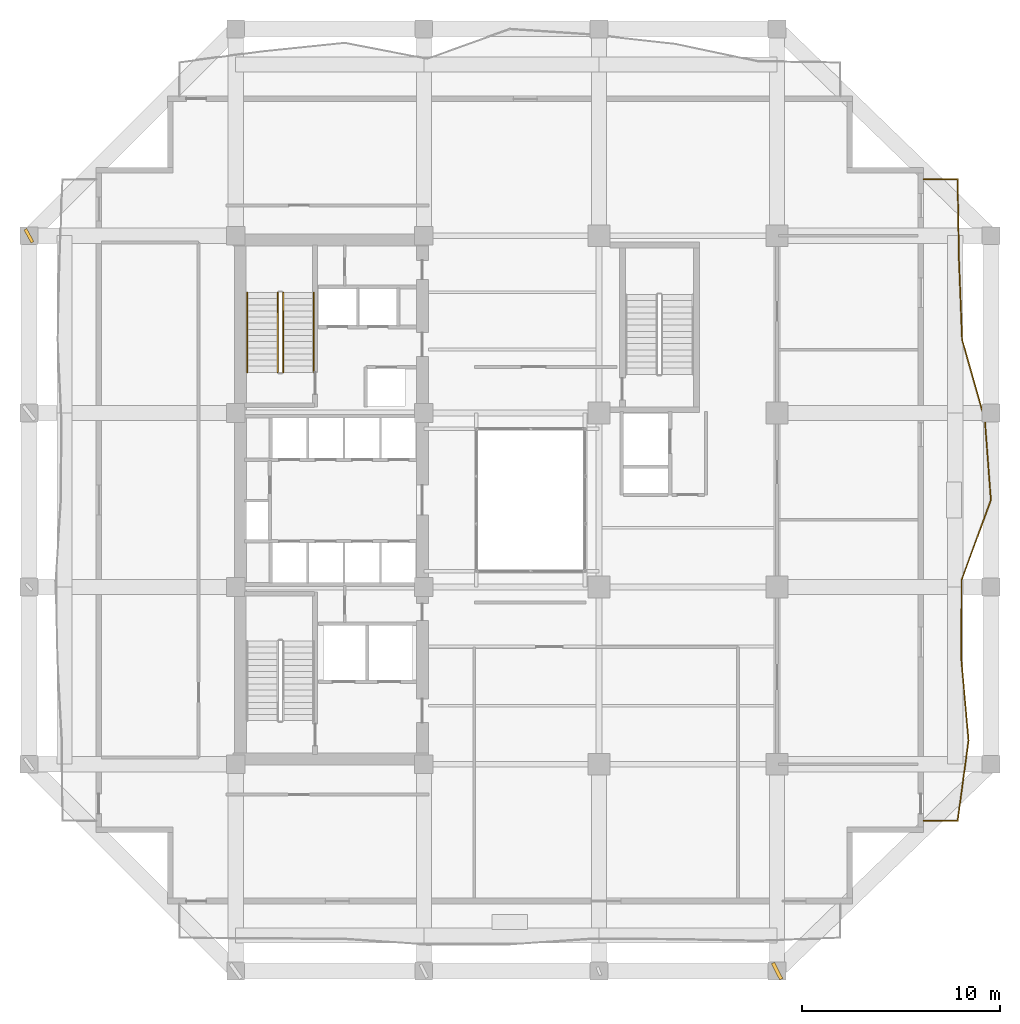
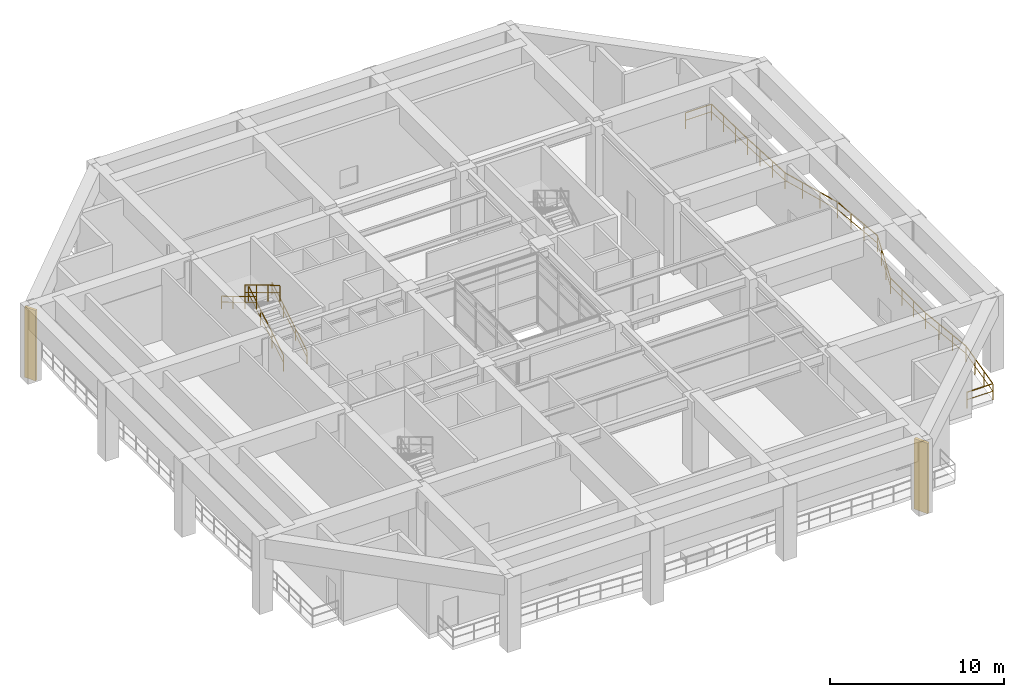
# One storey, part 11 of 13: 5 railings, 2 shading devices.
"""IFC4 building model written with IfcOpenShell, lengths in metres."""

from ifc_helpers import new_model, si_unit, direction, frame, origin, origin_2d, place, context, subcontext, project, spatial, rectangle, extrude, material, type_object, element, save


model = new_model("IFC4")

# Units and contexts
model_context = context("Model", 3, precision=1e-05, world=origin(), true_north=direction((0.0, 1.0)))
body_context = subcontext(model_context, "Body", "Model", "MODEL_VIEW")
ifc_project = project(units=[si_unit("LENGTHUNIT", "METRE"), si_unit("AREAUNIT", "SQUARE_METRE"), si_unit("VOLUMEUNIT", "CUBIC_METRE"), si_unit("PLANEANGLEUNIT", "RADIAN"), si_unit("MASSUNIT", "GRAM", prefix="KILO")], contexts=[model_context])

# Site, building, storey
site_placement = place(None, origin())
site = spatial("IfcSite", under=ifc_project, at=site_placement, CompositionType="ELEMENT")
building_placement = place(site_placement, origin())
building = spatial("IfcBuilding", under=site, at=building_placement, Name="Kundavana Baori Tower", CompositionType="ELEMENT")
storey_placement = place(building_placement, frame((0.0, 0.0, 98.800048828125)))
storey = spatial("IfcBuildingStorey", under=building, at=storey_placement, Name="L23", CompositionType="ELEMENT", Elevation=98.800048828125)

# Railings
ifc_material_1 = material(Name="Architectural Patinated Bronze Metalwork")
railing_type_1 = type_object("IfcRailingType", Name="RL-BAL-1150", PredefinedType="BALUSTRADE", material=ifc_material_1)
railing_1_placement = place(storey_placement, frame((50.199951171875, 44.800048828125, 0.0)))
element("IfcRailing", 1, at=railing_1_placement, inside=storey, type_object=railing_type_1, Name="L23 Loggia Balcony Balustrade E", PredefinedType="BALUSTRADE", context=body_context, shape_type="SweptSolid", body=[
    extrude(rectangle(XDim=0.048095703125, YDim=0.048095703125, at=origin_2d()), frame((0.0, 0.0, 1.1259765625), z_axis=(1.0, 0.0, 0.0), x_axis=(0.0, 1.0, 0.0)), (0.0, 0.0, 1.0), 1.719970703125),
    extrude(rectangle(XDim=0.03125, YDim=0.03125, at=origin_2d()), frame((0.0, 0.0, 0.597900390625), z_axis=(1.0, 0.0, 0.0), x_axis=(0.0, 1.0, 0.0)), (0.0, 0.0, 1.0), 1.719970703125),
    extrude(rectangle(XDim=0.048095703125, YDim=0.048095703125, at=origin_2d()), frame((1.719970703125, 0.0, 1.1259765625), z_axis=(0.016333946982, -0.999866592189, 0.0), x_axis=(0.999866592189, 0.016333946982, 0.0)), (0.0, 0.0, 1.0), 4.050537109375),
    extrude(rectangle(XDim=0.03125, YDim=0.03125, at=origin_2d()), frame((1.719970703125, 0.0, 0.597900390625), z_axis=(0.016333946982, -0.999866592189, 0.0), x_axis=(0.999866592189, 0.016333946982, 0.0)), (0.0, 0.0, 1.0), 4.050537109375),
    extrude(rectangle(XDim=0.048095703125, YDim=0.048095703125, at=origin_2d()), frame((1.7861328125, -4.050048828125, 1.1259765625), z_axis=(0.039212689569, -0.999230886721, 0.0), x_axis=(0.999230886721, 0.039212689569, 0.0)), (0.0, 0.0, 1.0), 4.05322265625),
    extrude(rectangle(XDim=0.03125, YDim=0.03125, at=origin_2d()), frame((1.7861328125, -4.050048828125, 0.597900390625), z_axis=(0.039212689569, -0.999230886721, 0.0), x_axis=(0.999230886721, 0.039212689569, 0.0)), (0.0, 0.0, 1.0), 4.05322265625),
    extrude(rectangle(XDim=0.048095703125, YDim=0.048095703125, at=origin_2d()), frame((1.945068359375, -8.10009765625, 1.1259765625), z_axis=(0.273127697415, -0.961977786077, 0.0), x_axis=(0.961977786077, 0.273127697415, 0.0)), (0.0, 0.0, 1.0), 4.210205078125),
    extrude(rectangle(XDim=0.03125, YDim=0.03125, at=origin_2d()), frame((1.945068359375, -8.10009765625, 0.597900390625), z_axis=(0.273127697415, -0.961977786077, 0.0), x_axis=(0.961977786077, 0.273127697415, 0.0)), (0.0, 0.0, 1.0), 4.210205078125),
    extrude(rectangle(XDim=0.048095703125, YDim=0.048095703125, at=origin_2d()), frame((3.094970703125, -12.150146484375, 1.1259765625), z_axis=(0.075142632914, -0.997172795818, 0.0), x_axis=(0.997172795818, 0.075142632914, 0.0)), (0.0, 0.0, 1.0), 4.061279296875),
    extrude(rectangle(XDim=0.03125, YDim=0.03125, at=origin_2d()), frame((3.094970703125, -12.150146484375, 0.597900390625), z_axis=(0.075142632914, -0.997172795818, 0.0), x_axis=(0.997172795818, 0.075142632914, 0.0)), (0.0, 0.0, 1.0), 4.061279296875),
    extrude(rectangle(XDim=0.048095703125, YDim=0.048095703125, at=origin_2d()), frame((3.400146484375, -16.199951171875, 1.1259765625), z_axis=(-0.343873744723, -0.939015893204, 0.0), x_axis=(0.939015893204, -0.343873744723, 0.0)), (0.0, 0.0, 1.0), 4.31298828125),
    extrude(rectangle(XDim=0.03125, YDim=0.03125, at=origin_2d()), frame((3.400146484375, -16.199951171875, 0.597900390625), z_axis=(-0.343873744723, -0.939015893204, 0.0), x_axis=(0.939015893204, -0.343873744723, 0.0)), (0.0, 0.0, 1.0), 4.31298828125),
    extrude(rectangle(XDim=0.048095703125, YDim=0.048095703125, at=origin_2d()), frame((1.9169921875, -20.25, 1.1259765625), z_axis=(-0.001687863049, -0.999998575558, 0.0), x_axis=(0.999998575558, -0.001687863049, 0.0)), (0.0, 0.0, 1.0), 4.050048828125),
    extrude(rectangle(XDim=0.03125, YDim=0.03125, at=origin_2d()), frame((1.9169921875, -20.25, 0.597900390625), z_axis=(-0.001687863049, -0.999998575558, 0.0), x_axis=(0.999998575558, -0.001687863049, 0.0)), (0.0, 0.0, 1.0), 4.050048828125),
    extrude(rectangle(XDim=0.048095703125, YDim=0.048095703125, at=origin_2d()), frame((1.91015625, -24.300048828125, 1.1259765625), z_axis=(0.089220189452, -0.996011926532, 0.0), x_axis=(0.996011926532, 0.089220189452, 0.0)), (0.0, 0.0, 1.0), 4.066162109375),
    extrude(rectangle(XDim=0.03125, YDim=0.03125, at=origin_2d()), frame((1.91015625, -24.300048828125, 0.597900390625), z_axis=(0.089220189452, -0.996011926532, 0.0), x_axis=(0.996011926532, 0.089220189452, 0.0)), (0.0, 0.0, 1.0), 4.066162109375),
    extrude(rectangle(XDim=0.048095703125, YDim=0.048095703125, at=origin_2d()), frame((2.27294921875, -28.35009765625, 1.1259765625), z_axis=(-0.135281116165, -0.990807256538, 0.0), x_axis=(0.990807256538, -0.135281116165, 0.0)), (0.0, 0.0, 1.0), 4.087646484375),
    extrude(rectangle(XDim=0.03125, YDim=0.03125, at=origin_2d()), frame((2.27294921875, -28.35009765625, 0.597900390625), z_axis=(-0.135281116165, -0.990807256538, 0.0), x_axis=(0.990807256538, -0.135281116165, 0.0)), (0.0, 0.0, 1.0), 4.087646484375),
    extrude(rectangle(XDim=0.048095703125, YDim=0.048095703125, at=origin_2d()), frame((1.719970703125, -32.400146484375, 1.1259765625), z_axis=(-1.0, 0.0, 0.0), x_axis=(0.0, -1.0, 0.0)), (0.0, 0.0, 1.0), 1.719970703125),
    extrude(rectangle(XDim=0.03125, YDim=0.03125, at=origin_2d()), frame((1.719970703125, -32.400146484375, 0.597900390625), z_axis=(-1.0, 0.0, 0.0), x_axis=(0.0, -1.0, 0.0)), (0.0, 0.0, 1.0), 1.719970703125),
    extrude(rectangle(XDim=0.0419921875, YDim=0.0419921875, at=origin_2d()), origin(), (0.0, 0.0, 1.0), 1.101806640625),
    extrude(rectangle(XDim=0.0419921875, YDim=0.0419921875, at=origin_2d()), frame((1.719970703125, 0.0, 0.0)), (0.0, 0.0, 1.0), 1.101806640625),
    extrude(rectangle(XDim=0.0419921875, YDim=0.0419921875, at=origin_2d()), frame((1.741943359375, -1.35009765625, 0.0)), (0.0, 0.0, 1.0), 1.101806640625),
    extrude(rectangle(XDim=0.0419921875, YDim=0.0419921875, at=origin_2d()), frame((1.76416015625, -2.699951171875, 0.0)), (0.0, 0.0, 1.0), 1.101806640625),
    extrude(rectangle(XDim=0.0419921875, YDim=0.0419921875, at=origin_2d()), frame((1.7861328125, -4.050048828125, 0.0)), (0.0, 0.0, 1.0), 1.101806640625),
    extrude(rectangle(XDim=0.0419921875, YDim=0.0419921875, at=origin_2d()), frame((1.839111328125, -5.400146484375, 0.0)), (0.0, 0.0, 1.0), 1.101806640625),
    extrude(rectangle(XDim=0.0419921875, YDim=0.0419921875, at=origin_2d()), frame((1.89208984375, -6.75, 0.0)), (0.0, 0.0, 1.0), 1.101806640625),
    extrude(rectangle(XDim=0.0419921875, YDim=0.0419921875, at=origin_2d()), frame((1.945068359375, -8.10009765625, 0.0)), (0.0, 0.0, 1.0), 1.101806640625),
    extrude(rectangle(XDim=0.0419921875, YDim=0.0419921875, at=origin_2d()), frame((2.328369140625, -9.4501953125, 0.0)), (0.0, 0.0, 1.0), 1.101806640625),
    extrude(rectangle(XDim=0.0419921875, YDim=0.0419921875, at=origin_2d()), frame((2.711669921875, -10.800048828125, 0.0)), (0.0, 0.0, 1.0), 1.101806640625),
    extrude(rectangle(XDim=0.0419921875, YDim=0.0419921875, at=origin_2d()), frame((3.094970703125, -12.150146484375, 0.0)), (0.0, 0.0, 1.0), 1.101806640625),
    extrude(rectangle(XDim=0.0419921875, YDim=0.0419921875, at=origin_2d()), frame((3.19677734375, -13.5, 0.0)), (0.0, 0.0, 1.0), 1.101806640625),
    extrude(rectangle(XDim=0.0419921875, YDim=0.0419921875, at=origin_2d()), frame((3.29833984375, -14.85009765625, 0.0)), (0.0, 0.0, 1.0), 1.101806640625),
    extrude(rectangle(XDim=0.0419921875, YDim=0.0419921875, at=origin_2d()), frame((3.400146484375, -16.199951171875, 0.0)), (0.0, 0.0, 1.0), 1.101806640625),
    extrude(rectangle(XDim=0.0419921875, YDim=0.0419921875, at=origin_2d()), frame((2.90576171875, -17.550048828125, 0.0)), (0.0, 0.0, 1.0), 1.101806640625),
    extrude(rectangle(XDim=0.0419921875, YDim=0.0419921875, at=origin_2d()), frame((2.411376953125, -18.89990234375, 0.0)), (0.0, 0.0, 1.0), 1.101806640625),
    extrude(rectangle(XDim=0.0419921875, YDim=0.0419921875, at=origin_2d()), frame((1.9169921875, -20.25, 0.0)), (0.0, 0.0, 1.0), 1.101806640625),
    extrude(rectangle(XDim=0.0419921875, YDim=0.0419921875, at=origin_2d()), frame((1.914794921875, -21.60009765625, 0.0)), (0.0, 0.0, 1.0), 1.101806640625),
    extrude(rectangle(XDim=0.0419921875, YDim=0.0419921875, at=origin_2d()), frame((1.912353515625, -22.949951171875, 0.0)), (0.0, 0.0, 1.0), 1.101806640625),
    extrude(rectangle(XDim=0.0419921875, YDim=0.0419921875, at=origin_2d()), frame((1.91015625, -24.300048828125, 0.0)), (0.0, 0.0, 1.0), 1.101806640625),
    extrude(rectangle(XDim=0.0419921875, YDim=0.0419921875, at=origin_2d()), frame((2.031005859375, -25.650146484375, 0.0)), (0.0, 0.0, 1.0), 1.101806640625),
    extrude(rectangle(XDim=0.0419921875, YDim=0.0419921875, at=origin_2d()), frame((2.152099609375, -27.0, 0.0)), (0.0, 0.0, 1.0), 1.101806640625),
    extrude(rectangle(XDim=0.0419921875, YDim=0.0419921875, at=origin_2d()), frame((2.27294921875, -28.35009765625, 0.0)), (0.0, 0.0, 1.0), 1.101806640625),
    extrude(rectangle(XDim=0.0419921875, YDim=0.0419921875, at=origin_2d()), frame((2.088623046875, -29.7001953125, 0.0)), (0.0, 0.0, 1.0), 1.101806640625),
    extrude(rectangle(XDim=0.0419921875, YDim=0.0419921875, at=origin_2d()), frame((1.904296875, -31.050048828125, 0.0)), (0.0, 0.0, 1.0), 1.101806640625),
    extrude(rectangle(XDim=0.0419921875, YDim=0.0419921875, at=origin_2d()), frame((1.719970703125, -32.400146484375, 0.0)), (0.0, 0.0, 1.0), 1.101806640625),
    extrude(rectangle(XDim=0.0419921875, YDim=0.0419921875, at=origin_2d()), frame((0.0, -32.400146484375, 0.0)), (0.0, 0.0, 1.0), 1.101806640625),
])
ifc_material_2 = material(Name="Architectural Patinated Bronze Metalwork")
railing_type_2 = type_object("IfcRailingType", Name="RL-GRD-1150", PredefinedType="GUARDRAIL", material=ifc_material_2)
railing_2_placement = place(storey_placement, frame((17.840087890625, 35.050048828125, 0.185546875)))
element("IfcRailing", 2, at=railing_2_placement, inside=storey, type_object=railing_type_2, Name="L23 ST2 stair guard 1", PredefinedType="GUARDRAIL", context=body_context, shape_type="SweptSolid", body=[
    extrude(rectangle(XDim=0.048095703125, YDim=0.048095703125, at=origin_2d()), frame((0.0, 0.0, 1.1259765625), z_axis=(0.0, 0.857841222509, 0.51391481489), x_axis=(-1.0, 0.0, 0.0)), (0.0, 0.0, 1.0), 4.69775390625),
    extrude(rectangle(XDim=0.03125, YDim=0.03125, at=origin_2d()), frame((0.0, 0.0, 0.597900390625), z_axis=(0.0, 0.857841222509, 0.51391481489), x_axis=(-1.0, 0.0, 0.0)), (0.0, 0.0, 1.0), 4.69775390625),
    extrude(rectangle(XDim=0.0419921875, YDim=0.0419921875, at=origin_2d()), origin(), (0.0, 0.0, 1.0), 1.101806640625),
    extrude(rectangle(XDim=0.0419921875, YDim=0.0419921875, at=origin_2d()), frame((0.0, 1.34326171875, 0.8046875)), (0.0, 0.0, 1.0), 1.101806640625),
    extrude(rectangle(XDim=0.0419921875, YDim=0.0419921875, at=origin_2d()), frame((0.0, 2.686767578125, 1.609619140625)), (0.0, 0.0, 1.0), 1.101806640625),
    extrude(rectangle(XDim=0.0419921875, YDim=0.0419921875, at=origin_2d()), frame((0.0, 4.030029296875, 2.414306640625)), (0.0, 0.0, 1.0), 1.101806640625),
])
railing_3_placement = place(storey_placement, frame((17.580078125, 39.080078125, 2.78564453125)))
element("IfcRailing", 3, at=railing_3_placement, inside=storey, type_object=railing_type_2, Name="L23 ST2 stair guard 3", PredefinedType="GUARDRAIL", context=body_context, shape_type="SweptSolid", body=[
    extrude(rectangle(XDim=0.048095703125, YDim=0.048095703125, at=origin_2d()), frame((0.0, 0.0, 1.1259765625), z_axis=(0.0, -0.857841222509, 0.51391481489), x_axis=(1.0, 0.0, 0.0)), (0.0, 0.0, 1.0), 4.69775390625),
    extrude(rectangle(XDim=0.03125, YDim=0.03125, at=origin_2d()), frame((0.0, 0.0, 0.597900390625), z_axis=(0.0, -0.857841222509, 0.51391481489), x_axis=(1.0, 0.0, 0.0)), (0.0, 0.0, 1.0), 4.69775390625),
    extrude(rectangle(XDim=0.0419921875, YDim=0.0419921875, at=origin_2d()), origin(), (0.0, 0.0, 1.0), 1.101806640625),
    extrude(rectangle(XDim=0.0419921875, YDim=0.0419921875, at=origin_2d()), frame((0.0, -1.34326171875, 0.8046875)), (0.0, 0.0, 1.0), 1.101806640625),
    extrude(rectangle(XDim=0.0419921875, YDim=0.0419921875, at=origin_2d()), frame((0.0, -2.686767578125, 1.609619140625)), (0.0, 0.0, 1.0), 1.101806640625),
    extrude(rectangle(XDim=0.0419921875, YDim=0.0419921875, at=origin_2d()), frame((0.0, -4.030029296875, 2.414306640625)), (0.0, 0.0, 1.0), 1.101806640625),
])
ifc_material_3 = material(Name="Architectural Patinated Bronze Metalwork")
railing_type_3 = type_object("IfcRailingType", Name="RL-HND-920", PredefinedType="HANDRAIL", material=ifc_material_3)
railing_4_placement = place(storey_placement, frame((19.389892578125, 35.050048828125, 0.185546875)))
element("IfcRailing", 4, at=railing_4_placement, inside=storey, type_object=railing_type_3, Name="L23 ST2 stair handrail 1", PredefinedType="HANDRAIL", context=body_context, shape_type="SweptSolid", body=[
    extrude(rectangle(XDim=0.048095703125, YDim=0.048095703125, at=origin_2d()), frame((0.0, 0.0, 0.8759765625), z_axis=(0.0, 0.857841222509, 0.51391481489), x_axis=(-1.0, 0.0, 0.0)), (0.0, 0.0, 1.0), 4.69775390625),
    extrude(rectangle(XDim=0.03125, YDim=0.03125, at=origin_2d()), frame((0.0, 0.0, 0.468017578125), z_axis=(0.0, 0.857841222509, 0.51391481489), x_axis=(-1.0, 0.0, 0.0)), (0.0, 0.0, 1.0), 4.69775390625),
    extrude(rectangle(XDim=0.0419921875, YDim=0.0419921875, at=origin_2d()), origin(), (0.0, 0.0, 1.0), 0.851806640625),
    extrude(rectangle(XDim=0.0419921875, YDim=0.0419921875, at=origin_2d()), frame((0.0, 1.34326171875, 0.8046875)), (0.0, 0.0, 1.0), 0.851806640625),
    extrude(rectangle(XDim=0.0419921875, YDim=0.0419921875, at=origin_2d()), frame((0.0, 2.686767578125, 1.609619140625)), (0.0, 0.0, 1.0), 0.851806640625),
    extrude(rectangle(XDim=0.0419921875, YDim=0.0419921875, at=origin_2d()), frame((0.0, 4.030029296875, 2.414306640625)), (0.0, 0.0, 1.0), 0.851806640625),
])
railing_5_placement = place(storey_placement, frame((16.030029296875, 39.080078125, 2.78564453125)))
element("IfcRailing", 5, at=railing_5_placement, inside=storey, type_object=railing_type_3, Name="L23 ST2 stair handrail 2", PredefinedType="HANDRAIL", context=body_context, shape_type="SweptSolid", body=[
    extrude(rectangle(XDim=0.048095703125, YDim=0.048095703125, at=origin_2d()), frame((0.0, 0.0, 0.8759765625), z_axis=(0.0, -0.857841222509, 0.51391481489), x_axis=(1.0, 0.0, 0.0)), (0.0, 0.0, 1.0), 4.69775390625),
    extrude(rectangle(XDim=0.03125, YDim=0.03125, at=origin_2d()), frame((0.0, 0.0, 0.468017578125), z_axis=(0.0, -0.857841222509, 0.51391481489), x_axis=(1.0, 0.0, 0.0)), (0.0, 0.0, 1.0), 4.69775390625),
    extrude(rectangle(XDim=0.0419921875, YDim=0.0419921875, at=origin_2d()), origin(), (0.0, 0.0, 1.0), 0.851806640625),
    extrude(rectangle(XDim=0.0419921875, YDim=0.0419921875, at=origin_2d()), frame((0.0, -1.34326171875, 0.8046875)), (0.0, 0.0, 1.0), 0.851806640625),
    extrude(rectangle(XDim=0.0419921875, YDim=0.0419921875, at=origin_2d()), frame((0.0, -2.686767578125, 1.609619140625)), (0.0, 0.0, 1.0), 0.851806640625),
    extrude(rectangle(XDim=0.0419921875, YDim=0.0419921875, at=origin_2d()), frame((0.0, -4.030029296875, 2.414306640625)), (0.0, 0.0, 1.0), 0.851806640625),
])

# Shading devices
ifc_material_4 = material(Name="Red-Buff Dholpur Sandstone Cladding on Concrete C40/50", Category="masonry")
shading_device_type_1 = type_object("IfcShadingDeviceType", Name="SHD-FIN-750", PredefinedType="JALOUSIE", material=ifc_material_4)
shading_device_1_placement = place(storey_placement, frame((5.0, 41.949951171875, 0.0), z_axis=(0.0, 0.0, 1.0), x_axis=(0.877564903719, 0.479457860256, 0.0)))
element("IfcShadingDevice", 6, at=shading_device_1_placement, inside=storey, type_object=shading_device_type_1, Name="L23 Sweeping Dholpur Sandstone Facade Fin 8", PredefinedType="JALOUSIE", context=body_context, shape_type="SweptSolid", body=[
    extrude(rectangle(XDim=0.159912109375, YDim=0.75, at=origin_2d()), origin(), (0.0, 0.0, 1.0), 4.949951171875),
])
ifc_material_5 = material(Name="Red-Buff Dholpur Sandstone Cladding on Concrete C40/50", Category="masonry")
shading_device_type_2 = type_object("IfcShadingDeviceType", Name="SHD-FIN-920", PredefinedType="JALOUSIE", material=ifc_material_5)
shading_device_2_placement = place(storey_placement, frame((42.800048828125, 4.800048828125, 0.0), z_axis=(0.0, 0.0, 1.0), x_axis=(0.890530617987, 0.454923310491, 0.0)))
element("IfcShadingDevice", 7, at=shading_device_2_placement, inside=storey, type_object=shading_device_type_2, Name="L23 Sweeping Dholpur Sandstone Facade Fin 4", PredefinedType="JALOUSIE", context=body_context, shape_type="SweptSolid", body=[
    extrude(rectangle(XDim=0.179931640625, YDim=0.919921875, at=origin_2d()), origin(), (0.0, 0.0, 1.0), 4.949951171875),
])

save(model, "model.ifc")
